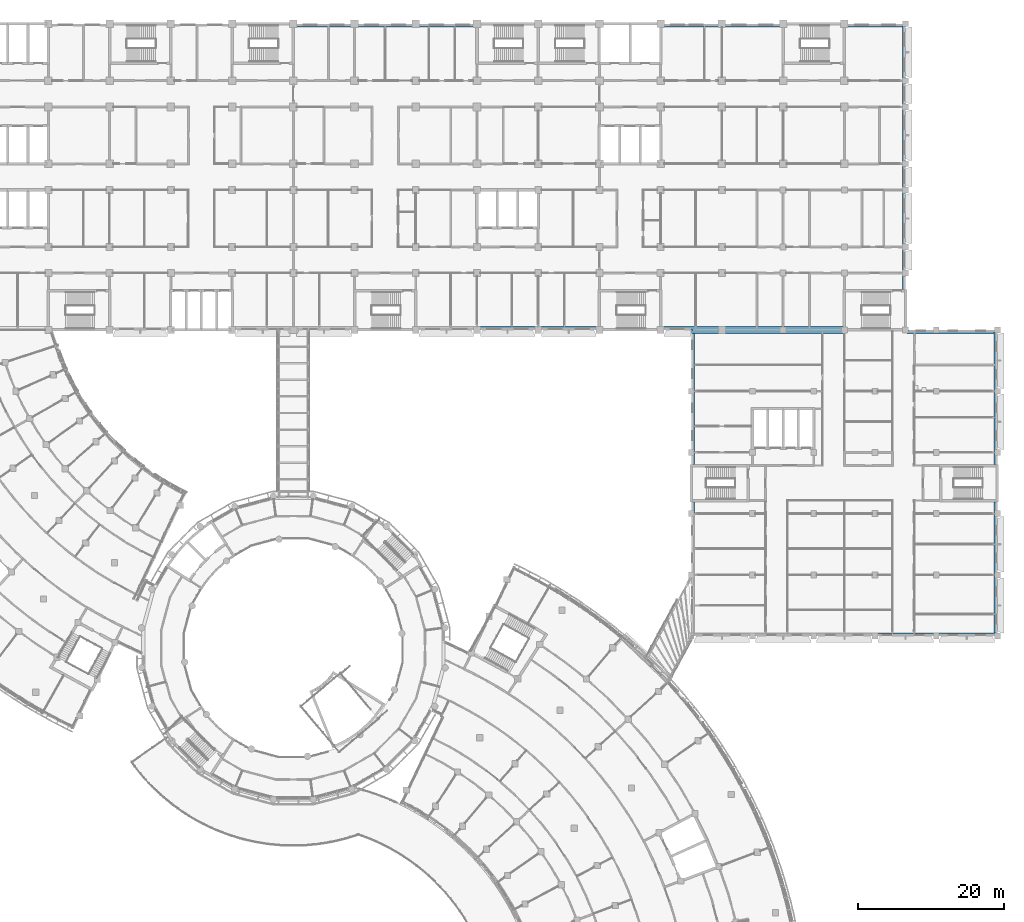
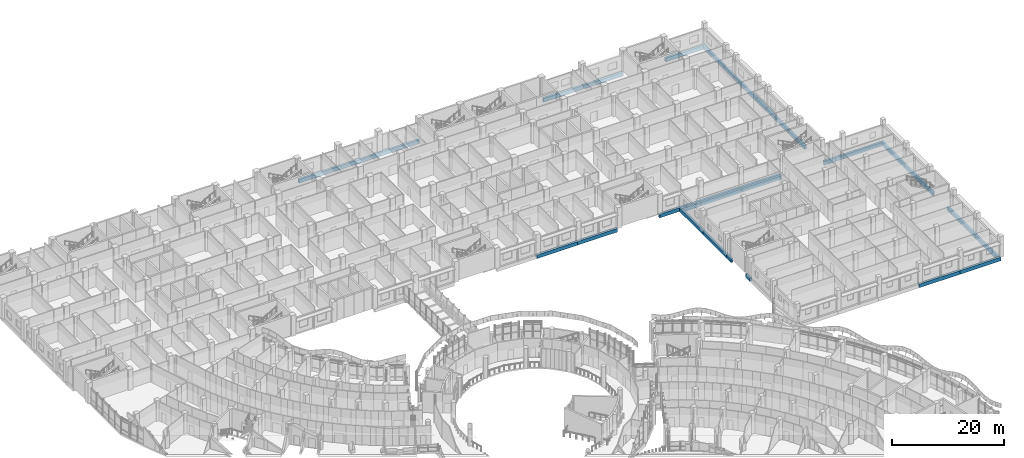
# One storey, part 37 of 136: 35 beams.
"""IFC4 building model written with IfcOpenShell, lengths in metres."""

from ifc_helpers import new_model, si_unit, direction, frame, origin, origin_2d, place, context, subcontext, project, spatial, rectangle, extrude, material, material_profile, profile_set, type_object, element, save


model = new_model("IFC4")

# Units and contexts
model_context = context("Model", 3, precision=1e-05, world=origin(), true_north=direction((0.0, 1.0)))
body_context = subcontext(model_context, "Body", "Model", "MODEL_VIEW")
ifc_project = project(units=[si_unit("LENGTHUNIT", "METRE"), si_unit("AREAUNIT", "SQUARE_METRE"), si_unit("VOLUMEUNIT", "CUBIC_METRE"), si_unit("PLANEANGLEUNIT", "RADIAN"), si_unit("MASSUNIT", "GRAM", prefix="KILO")], contexts=[model_context])

# Site, building, storey
site_placement = place(None, origin())
site = spatial("IfcSite", under=ifc_project, at=site_placement, CompositionType="ELEMENT")
building_placement = place(site_placement, origin())
building = spatial("IfcBuilding", under=site, at=building_placement, Name="Bougainvillea Quay General Hospital", CompositionType="ELEMENT")
storey_placement = place(building_placement, frame((0.0, 0.0, 5.39990234375)))
storey = spatial("IfcBuildingStorey", under=building, at=storey_placement, Name="L01", CompositionType="ELEMENT", Elevation=5.39990234375)

# Beams
ifc_material = material(Name="Concrete C40", Category="concrete")
ifc_material_profile = material_profile(ifc_material, rectangle(XDim=0.449951171875, YDim=0.800048828125, at=origin_2d()))
ifc_profile_set = profile_set([ifc_material_profile], Name="Concrete C40")
beam_type = type_object("IfcBeamType", Name="RC BEAM 450x800 C40", PredefinedType="BEAM", material=ifc_profile_set)
beam_1_placement = place(storey_placement, frame((164.02490234375, 117.60009765625, -0.699951171875), z_axis=(0.0, -1.0, 0.0), x_axis=(1.0, 0.0, 0.0)))
element("IfcBeam", 1, at=beam_1_placement, inside=storey, type_object=beam_type, Name="Edge beam L01", PredefinedType="BEAM", context=body_context, shape_type="SweptSolid", body=[
    extrude(rectangle(XDim=0.449951171875, YDim=0.800048828125, at=origin_2d()), origin(), (0.0, 0.0, 1.0), 8.400146484375),
])
beam_2_placement = place(storey_placement, frame((164.02490234375, 109.199951171875, -0.699951171875), z_axis=(0.0, -1.0, 0.0), x_axis=(1.0, 0.0, 0.0)))
element("IfcBeam", 2, at=beam_2_placement, inside=storey, type_object=beam_type, Name="Edge beam L01", PredefinedType="BEAM", context=body_context, shape_type="SweptSolid", body=[
    extrude(rectangle(XDim=0.449951171875, YDim=0.800048828125, at=origin_2d()), origin(), (0.0, 0.0, 1.0), 8.39990234375),
])
for number, where, z_axis, x_axis, name in (
    (3, (164.02490234375, 100.800048828125, -0.699951171875), (0.0, -1.0, 0.0), (1.0, 0.0, 0.0), "Edge beam L01"),
    (4, (164.02490234375, 94.02490234375, -0.699951171875), (0.0, -1.0, 0.0), (1.0, 0.0, 0.0), "Edge beam L01"),
):
    element("IfcBeam", number, at=place(storey_placement, frame(where, z_axis=z_axis, x_axis=x_axis)), inside=storey, type_object=beam_type, Name=name, PredefinedType="BEAM", context=body_context, shape_type="SweptSolid", body=[
        extrude(rectangle(XDim=0.449951171875, YDim=0.800048828125, at=origin_2d()), origin(), (0.0, 0.0, 1.0), 1.625),
    ])
beam_3_placement = place(storey_placement, frame((189.0, 75.824951171875, -0.699951171875), z_axis=(1.0, 0.0, 0.0), x_axis=(0.0, 1.0, 0.0)))
element("IfcBeam", 5, at=beam_3_placement, inside=storey, type_object=beam_type, Name="Edge beam L01", PredefinedType="BEAM", context=body_context, shape_type="SweptSolid", body=[
    extrude(rectangle(XDim=0.449951171875, YDim=0.800048828125, at=origin_2d()), origin(), (0.0, 0.0, 1.0), 8.39990234375),
])
beam_4_placement = place(storey_placement, frame((197.39990234375, 75.824951171875, -0.699951171875), z_axis=(1.0, 0.0, 0.0), x_axis=(0.0, 1.0, 0.0)))
element("IfcBeam", 6, at=beam_4_placement, inside=storey, type_object=beam_type, Name="Edge beam L01", PredefinedType="BEAM", context=body_context, shape_type="SweptSolid", body=[
    extrude(rectangle(XDim=0.449951171875, YDim=0.800048828125, at=origin_2d()), origin(), (0.0, 0.0, 1.0), 8.400146484375),
])
for number, where, z_axis, x_axis, name in (
    (7, (205.574951171875, 75.60009765625, -0.699951171875), (0.0, 1.0, 0.0), (-1.0, 0.0, 0.0), "Edge beam L01"),
    (8, (205.574951171875, 84.0, -0.699951171875), (0.0, 1.0, 0.0), (-1.0, 0.0, 0.0), "Edge beam L01"),
):
    element("IfcBeam", number, at=place(storey_placement, frame(where, z_axis=z_axis, x_axis=x_axis)), inside=storey, type_object=beam_type, Name=name, PredefinedType="BEAM", context=body_context, shape_type="SweptSolid", body=[
        extrude(rectangle(XDim=0.449951171875, YDim=0.800048828125, at=origin_2d()), origin(), (0.0, 0.0, 1.0), 8.39990234375),
    ])
for number, where, z_axis, x_axis, name in (
    (9, (205.574951171875, 92.39990234375, -0.699951171875), (0.0, 1.0, 0.0), (-1.0, 0.0, 0.0), "Edge beam L01"),
    (10, (205.574951171875, 99.175048828125, -0.699951171875), (0.0, 1.0, 0.0), (-1.0, 0.0, 0.0), "Edge beam L01"),
):
    element("IfcBeam", number, at=place(storey_placement, frame(where, z_axis=z_axis, x_axis=x_axis)), inside=storey, type_object=beam_type, Name=name, PredefinedType="BEAM", context=body_context, shape_type="SweptSolid", body=[
        extrude(rectangle(XDim=0.449951171875, YDim=0.800048828125, at=origin_2d()), origin(), (0.0, 0.0, 1.0), 1.625),
    ])
beam_5_placement = place(storey_placement, frame((205.574951171875, 100.800048828125, -0.699951171875), z_axis=(0.0, 1.0, 0.0), x_axis=(-1.0, 0.0, 0.0)))
element("IfcBeam", 11, at=beam_5_placement, inside=storey, type_object=beam_type, Name="Edge beam L01", PredefinedType="BEAM", context=body_context, shape_type="SweptSolid", body=[
    extrude(rectangle(XDim=0.449951171875, YDim=0.800048828125, at=origin_2d()), origin(), (0.0, 0.0, 1.0), 8.39990234375),
])
for number, where, z_axis, x_axis, name in (
    (12, (205.574951171875, 109.199951171875, -0.699951171875), (0.0, 1.0, 0.0), (-1.0, 0.0, 0.0), "Edge beam L01"),
    (13, (205.800048828125, 117.375, -0.699951171875), (-1.0, 0.0, 0.0), (0.0, -1.0, 0.0), "Edge beam L01"),
):
    element("IfcBeam", number, at=place(storey_placement, frame(where, z_axis=z_axis, x_axis=x_axis)), inside=storey, type_object=beam_type, Name=name, PredefinedType="BEAM", context=body_context, shape_type="SweptSolid", body=[
        extrude(rectangle(XDim=0.449951171875, YDim=0.800048828125, at=origin_2d()), origin(), (0.0, 0.0, 1.0), 8.400146484375),
    ])
beam_6_placement = place(storey_placement, frame((197.39990234375, 117.375, -0.699951171875), z_axis=(-1.0, 0.0, 0.0), x_axis=(0.0, -1.0, 0.0)))
element("IfcBeam", 14, at=beam_6_placement, inside=storey, type_object=beam_type, Name="Edge beam L01", PredefinedType="BEAM", context=body_context, shape_type="SweptSolid", body=[
    extrude(rectangle(XDim=0.449951171875, YDim=0.800048828125, at=origin_2d()), origin(), (0.0, 0.0, 1.0), 4.02490234375),
])
beam_7_placement = place(storey_placement, frame((184.625, 117.375, -0.699951171875), z_axis=(-1.0, 0.0, 0.0), x_axis=(0.0, -1.0, 0.0)))
element("IfcBeam", 15, at=beam_7_placement, inside=storey, type_object=beam_type, Name="Edge beam L01", PredefinedType="BEAM", context=body_context, shape_type="SweptSolid", body=[
    extrude(rectangle(XDim=0.449951171875, YDim=0.800048828125, at=origin_2d()), origin(), (0.0, 0.0, 1.0), 8.22509765625),
])
beam_8_placement = place(storey_placement, frame((176.39990234375, 117.375, -0.699951171875), z_axis=(-1.0, 0.0, 0.0), x_axis=(0.0, -1.0, 0.0)))
element("IfcBeam", 16, at=beam_8_placement, inside=storey, type_object=beam_type, Name="Edge beam L01", PredefinedType="BEAM", context=body_context, shape_type="SweptSolid", body=[
    extrude(rectangle(XDim=0.449951171875, YDim=0.800048828125, at=origin_2d()), origin(), (0.0, 0.0, 1.0), 8.39990234375),
])
beam_9_placement = place(storey_placement, frame((168.0, 117.375, -0.699951171875), z_axis=(-1.0, 0.0, 0.0), x_axis=(0.0, -1.0, 0.0)))
element("IfcBeam", 17, at=beam_9_placement, inside=storey, type_object=beam_type, Name="Edge beam L01", PredefinedType="BEAM", context=body_context, shape_type="SweptSolid", body=[
    extrude(rectangle(XDim=0.449951171875, YDim=0.800048828125, at=origin_2d()), origin(), (0.0, 0.0, 1.0), 4.199951171875),
])
beam_10_placement = place(storey_placement, frame((134.39990234375, 117.824951171875, -0.699951171875), z_axis=(1.0, 0.0, 0.0), x_axis=(0.0, 1.0, 0.0)))
element("IfcBeam", 18, at=beam_10_placement, inside=storey, type_object=beam_type, Name="Edge beam L01", PredefinedType="BEAM", context=body_context, shape_type="SweptSolid", body=[
    extrude(rectangle(XDim=0.449951171875, YDim=0.800048828125, at=origin_2d()), origin(), (0.0, 0.0, 1.0), 8.400146484375),
])
beam_11_placement = place(storey_placement, frame((142.800048828125, 117.824951171875, -0.699951171875), z_axis=(1.0, 0.0, 0.0), x_axis=(0.0, 1.0, 0.0)))
element("IfcBeam", 19, at=beam_11_placement, inside=storey, type_object=beam_type, Name="Edge beam L01", PredefinedType="BEAM", context=body_context, shape_type="SweptSolid", body=[
    extrude(rectangle(XDim=0.449951171875, YDim=0.800048828125, at=origin_2d()), origin(), (0.0, 0.0, 1.0), 8.224853515625),
])
beam_12_placement = place(storey_placement, frame((159.77490234375, 117.824951171875, -0.699951171875), z_axis=(1.0, 0.0, 0.0), x_axis=(0.0, 1.0, 0.0)))
element("IfcBeam", 20, at=beam_12_placement, inside=storey, type_object=beam_type, Name="Edge beam L01", PredefinedType="BEAM", context=body_context, shape_type="SweptSolid", body=[
    extrude(rectangle(XDim=0.449951171875, YDim=0.800048828125, at=origin_2d()), origin(), (0.0, 0.0, 1.0), 8.22509765625),
])
beam_13_placement = place(storey_placement, frame((168.0, 117.824951171875, -0.699951171875), z_axis=(1.0, 0.0, 0.0), x_axis=(0.0, 1.0, 0.0)))
element("IfcBeam", 21, at=beam_13_placement, inside=storey, type_object=beam_type, Name="Edge beam L01", PredefinedType="BEAM", context=body_context, shape_type="SweptSolid", body=[
    extrude(rectangle(XDim=0.449951171875, YDim=0.800048828125, at=origin_2d()), origin(), (0.0, 0.0, 1.0), 8.39990234375),
])
beam_14_placement = place(storey_placement, frame((176.39990234375, 117.824951171875, -0.699951171875), z_axis=(1.0, 0.0, 0.0), x_axis=(0.0, 1.0, 0.0)))
element("IfcBeam", 22, at=beam_14_placement, inside=storey, type_object=beam_type, Name="Edge beam L01", PredefinedType="BEAM", context=body_context, shape_type="SweptSolid", body=[
    extrude(rectangle(XDim=0.449951171875, YDim=0.800048828125, at=origin_2d()), origin(), (0.0, 0.0, 1.0), 8.22509765625),
])
beam_15_placement = place(storey_placement, frame((192.97509765625, 123.175048828125, -0.699951171875), z_axis=(0.0, 1.0, 0.0), x_axis=(-1.0, 0.0, 0.0)))
element("IfcBeam", 23, at=beam_15_placement, inside=storey, type_object=beam_type, Name="Edge beam L01", PredefinedType="BEAM", context=body_context, shape_type="SweptSolid", body=[
    extrude(rectangle(XDim=0.449951171875, YDim=0.800048828125, at=origin_2d()), origin(), (0.0, 0.0, 1.0), 2.224853515625),
])
beam_16_placement = place(storey_placement, frame((192.97509765625, 125.39990234375, -0.699951171875), z_axis=(0.0, 1.0, 0.0), x_axis=(-1.0, 0.0, 0.0)))
element("IfcBeam", 24, at=beam_16_placement, inside=storey, type_object=beam_type, Name="Edge beam L01", PredefinedType="BEAM", context=body_context, shape_type="SweptSolid", body=[
    extrude(rectangle(XDim=0.449951171875, YDim=0.800048828125, at=origin_2d()), origin(), (0.0, 0.0, 1.0), 3.60009765625),
])
beam_17_placement = place(storey_placement, frame((192.97509765625, 129.0, -0.699951171875), z_axis=(0.0, 1.0, 0.0), x_axis=(-1.0, 0.0, 0.0)))
element("IfcBeam", 25, at=beam_17_placement, inside=storey, type_object=beam_type, Name="Edge beam L01", PredefinedType="BEAM", context=body_context, shape_type="SweptSolid", body=[
    extrude(rectangle(XDim=0.449951171875, YDim=0.800048828125, at=origin_2d()), origin(), (0.0, 0.0, 1.0), 7.800048828125),
])
beam_18_placement = place(storey_placement, frame((192.97509765625, 136.800048828125, -0.699951171875), z_axis=(0.0, 1.0, 0.0), x_axis=(-1.0, 0.0, 0.0)))
element("IfcBeam", 26, at=beam_18_placement, inside=storey, type_object=beam_type, Name="Edge beam L01", PredefinedType="BEAM", context=body_context, shape_type="SweptSolid", body=[
    extrude(rectangle(XDim=0.449951171875, YDim=0.800048828125, at=origin_2d()), origin(), (0.0, 0.0, 1.0), 3.599853515625),
])
beam_19_placement = place(storey_placement, frame((192.97509765625, 140.39990234375, -0.699951171875), z_axis=(0.0, 1.0, 0.0), x_axis=(-1.0, 0.0, 0.0)))
element("IfcBeam", 27, at=beam_19_placement, inside=storey, type_object=beam_type, Name="Edge beam L01", PredefinedType="BEAM", context=body_context, shape_type="SweptSolid", body=[
    extrude(rectangle(XDim=0.449951171875, YDim=0.800048828125, at=origin_2d()), origin(), (0.0, 0.0, 1.0), 7.800048828125),
])
beam_20_placement = place(storey_placement, frame((192.97509765625, 148.199951171875, -0.699951171875), z_axis=(0.0, 1.0, 0.0), x_axis=(-1.0, 0.0, 0.0)))
element("IfcBeam", 28, at=beam_20_placement, inside=storey, type_object=beam_type, Name="Edge beam L01", PredefinedType="BEAM", context=body_context, shape_type="SweptSolid", body=[
    extrude(rectangle(XDim=0.449951171875, YDim=0.800048828125, at=origin_2d()), origin(), (0.0, 0.0, 1.0), 3.60009765625),
])
beam_21_placement = place(storey_placement, frame((192.97509765625, 151.800048828125, -0.699951171875), z_axis=(0.0, 1.0, 0.0), x_axis=(-1.0, 0.0, 0.0)))
element("IfcBeam", 29, at=beam_21_placement, inside=storey, type_object=beam_type, Name="Edge beam L01", PredefinedType="BEAM", context=body_context, shape_type="SweptSolid", body=[
    extrude(rectangle(XDim=0.449951171875, YDim=0.800048828125, at=origin_2d()), origin(), (0.0, 0.0, 1.0), 7.800048828125),
])
beam_22_placement = place(storey_placement, frame((193.199951171875, 159.375, -0.699951171875), z_axis=(-1.0, 0.0, 0.0), x_axis=(0.0, -1.0, 0.0)))
element("IfcBeam", 30, at=beam_22_placement, inside=storey, type_object=beam_type, Name="Edge beam L01", PredefinedType="BEAM", context=body_context, shape_type="SweptSolid", body=[
    extrude(rectangle(XDim=0.449951171875, YDim=0.800048828125, at=origin_2d()), origin(), (0.0, 0.0, 1.0), 8.224853515625),
])
for number, where, z_axis, x_axis, name in (
    (31, (176.22509765625, 159.375, -0.699951171875), (-1.0, 0.0, 0.0), (0.0, -1.0, 0.0), "Edge beam L01"),
    (32, (168.0, 159.375, -0.699951171875), (-1.0, 0.0, 0.0), (0.0, -1.0, 0.0), "Edge beam L01"),
    (33, (134.22509765625, 159.375, -0.699951171875), (-1.0, 0.0, 0.0), (0.0, -1.0, 0.0), "Edge beam L01"),
):
    element("IfcBeam", number, at=place(storey_placement, frame(where, z_axis=z_axis, x_axis=x_axis)), inside=storey, type_object=beam_type, Name=name, PredefinedType="BEAM", context=body_context, shape_type="SweptSolid", body=[
        extrude(rectangle(XDim=0.449951171875, YDim=0.800048828125, at=origin_2d()), origin(), (0.0, 0.0, 1.0), 8.22509765625),
    ])
beam_23_placement = place(storey_placement, frame((126.0, 159.375, -0.699951171875), z_axis=(-1.0, 0.0, 0.0), x_axis=(0.0, -1.0, 0.0)))
element("IfcBeam", 34, at=beam_23_placement, inside=storey, type_object=beam_type, Name="Edge beam L01", PredefinedType="BEAM", context=body_context, shape_type="SweptSolid", body=[
    extrude(rectangle(XDim=0.449951171875, YDim=0.800048828125, at=origin_2d()), origin(), (0.0, 0.0, 1.0), 8.39990234375),
])
beam_24_placement = place(storey_placement, frame((117.60009765625, 159.375, -0.699951171875), z_axis=(-1.0, 0.0, 0.0), x_axis=(0.0, -1.0, 0.0)))
element("IfcBeam", 35, at=beam_24_placement, inside=storey, type_object=beam_type, Name="Edge beam L01", PredefinedType="BEAM", context=body_context, shape_type="SweptSolid", body=[
    extrude(rectangle(XDim=0.449951171875, YDim=0.800048828125, at=origin_2d()), origin(), (0.0, 0.0, 1.0), 8.22509765625),
])

save(model, "model.ifc")
